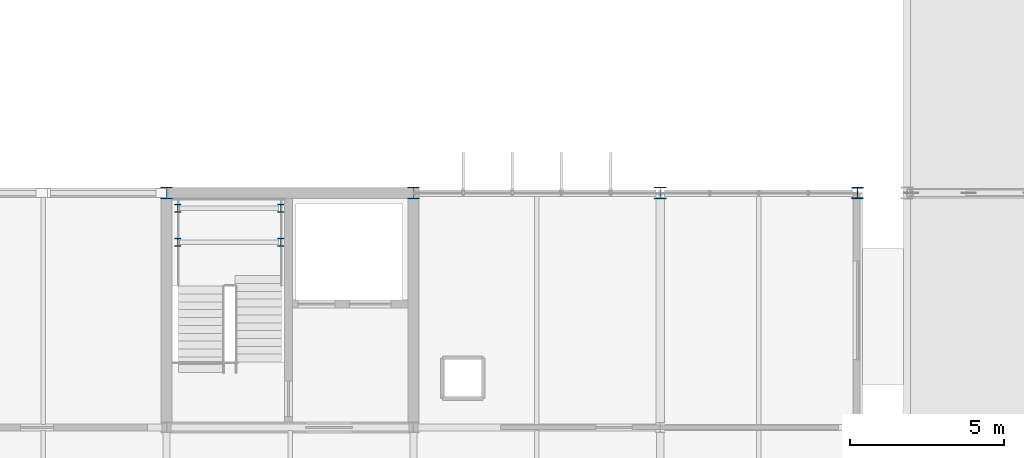
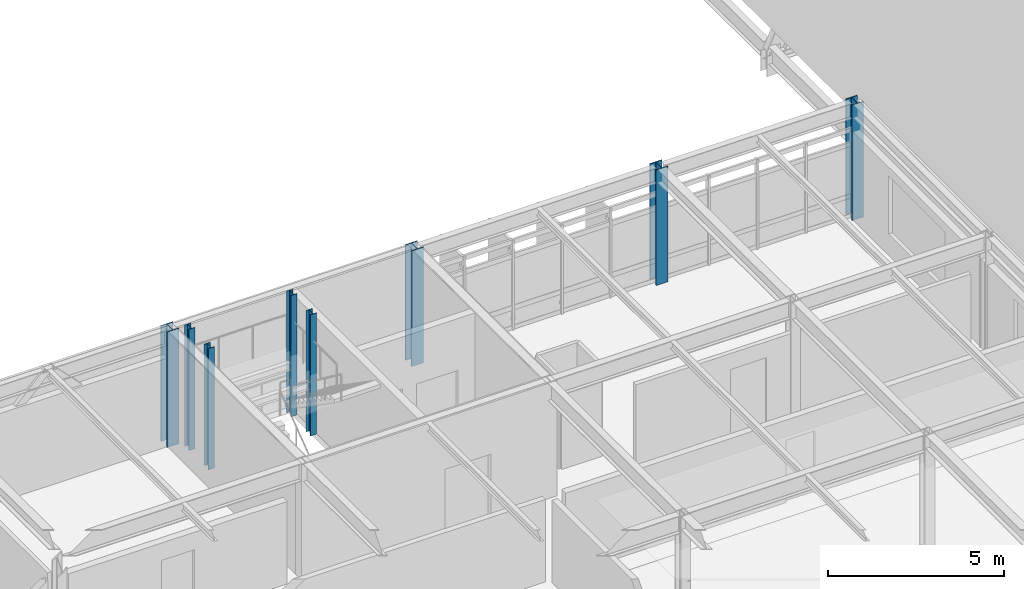
# One storey, part 4 of 85: 8 columns.
"""IFC4 building model written with IfcOpenShell, lengths in metres."""

from ifc_helpers import new_model, si_unit, direction, frame, origin, origin_2d, place, context, subcontext, project, spatial, i_section, extrude, material, material_profile, profile_set, type_object, element, save


model = new_model("IFC4")

# Units and contexts
model_context = context("Model", 3, precision=1e-05, world=origin(), true_north=direction((0.0, 1.0)))
body_context = subcontext(model_context, "Body", "Model", "MODEL_VIEW")
ifc_project = project(units=[si_unit("LENGTHUNIT", "METRE"), si_unit("AREAUNIT", "SQUARE_METRE"), si_unit("VOLUMEUNIT", "CUBIC_METRE"), si_unit("PLANEANGLEUNIT", "RADIAN"), si_unit("MASSUNIT", "GRAM", prefix="KILO")], contexts=[model_context])

# Site, building, storey
site_placement = place(None, origin())
site = spatial("IfcSite", under=ifc_project, at=site_placement, CompositionType="ELEMENT")
building_placement = place(site_placement, origin())
building = spatial("IfcBuilding", under=site, at=building_placement, Name="Zulena Civic Courthouse", CompositionType="ELEMENT")
storey_placement = place(building_placement, frame((0.0, 0.0, 25.199951171875)))
storey = spatial("IfcBuildingStorey", under=building, at=storey_placement, Name="L05", CompositionType="ELEMENT", Elevation=25.199951171875)

# Columns
ifc_material = material(Name="Steel ASTM A992 Grade 50", Category="steel")
ifc_material_profile_1 = material_profile(ifc_material, i_section(OverallWidth=0.2041015625, OverallDepth=0.257080078125, WebThickness=0.0087890625, FlangeThickness=0.015625, FilletRadius=0.0126953125, at=origin_2d()), Name="W10X45")
ifc_profile_set_1 = profile_set([ifc_material_profile_1], Name="Steel ASTM A992 Grade 50")
column_type_1 = type_object("IfcColumnType", Name="Col_W10X45", PredefinedType="COLUMN", material=ifc_profile_set_1)
for number, where, z_axis, x_axis, name in (
    (1, (44.360107421875, 21.199951171875, 0.0), (0.0, 0.0, 1.0), (1.0, 0.0, 0.0), "col:lnd:K2B:L05:0:0"),
    (2, (47.699951171875, 21.199951171875, 0.0), (0.0, 0.0, 1.0), (1.0, 0.0, 0.0), "col:lnd:K2B:L05:0:1"),
    (3, (44.360107421875, 22.300048828125, 0.0), (0.0, 0.0, 1.0), (1.0, 0.0, 0.0), "col:lnd:K2B:L05:1:0"),
    (4, (47.699951171875, 22.300048828125, 0.0), (0.0, 0.0, 1.0), (1.0, 0.0, 0.0), "col:lnd:K2B:L05:1:1"),
):
    element("IfcColumn", number, at=place(storey_placement, frame(where, z_axis=z_axis, x_axis=x_axis)), inside=storey, type_object=column_type_1, Name=name, PredefinedType="COLUMN", context=body_context, shape_type="SweptSolid", body=[
        extrude(i_section(OverallWidth=0.2041015625, OverallDepth=0.257080078125, WebThickness=0.0087890625, FlangeThickness=0.015625, FilletRadius=0.0126953125, at=origin_2d()), origin(), (0.0, 0.0, 1.0), 4.195068359375),
    ])
ifc_material_profile_2 = material_profile(ifc_material, i_section(OverallWidth=0.373046875, OverallDepth=0.367919921875, WebThickness=0.014892578125, FlangeThickness=0.02392578125, FilletRadius=0.01513671875, at=origin_2d()), Name="W14X120")
ifc_profile_set_2 = profile_set([ifc_material_profile_2], Name="Steel ASTM A992 Grade 50")
column_type_2 = type_object("IfcColumnType", Name="Col_W14X120", PredefinedType="COLUMN", material=ifc_profile_set_2)
column_placement = place(storey_placement, frame((66.39990234375, 22.800048828125, 0.0), z_axis=(0.0, 0.0, 1.0), x_axis=(1.0, 0.0, 0.0)))
element("IfcColumn", 5, at=column_placement, inside=storey, type_object=column_type_2, Name="col:V2:L05:66.4:22.8", PredefinedType="COLUMN", context=body_context, shape_type="SweptSolid", body=[
    extrude(i_section(OverallWidth=0.373046875, OverallDepth=0.367919921875, WebThickness=0.014892578125, FlangeThickness=0.02392578125, FilletRadius=0.01513671875, at=origin_2d()), origin(), (0.0, 0.0, 1.0), 3.9951171875),
])
ifc_material_profile_3 = material_profile(ifc_material, i_section(OverallWidth=0.39404296875, OverallDepth=0.3759765625, WebThickness=0.017333984375, FlangeThickness=0.027587890625, FilletRadius=0.01513671875, at=origin_2d()), Name="W14X145")
ifc_profile_set_3 = profile_set([ifc_material_profile_3], Name="Steel ASTM A992 Grade 50")
column_type_3 = type_object("IfcColumnType", Name="Col_W14X145", PredefinedType="COLUMN", material=ifc_profile_set_3)
for number, where, z_axis, x_axis, name in (
    (6, (44.0, 22.800048828125, 0.0), (0.0, 0.0, 1.0), (1.0, 0.0, 0.0), "col:V2:L05:44.0:22.8"),
    (7, (52.0, 22.800048828125, 0.0), (0.0, 0.0, 1.0), (1.0, 0.0, 0.0), "col:V2:L05:52.0:22.8"),
    (8, (60.0, 22.800048828125, 0.0), (0.0, 0.0, 1.0), (1.0, 0.0, 0.0), "col:V2:L05:60.0:22.8"),
):
    element("IfcColumn", number, at=place(storey_placement, frame(where, z_axis=z_axis, x_axis=x_axis)), inside=storey, type_object=column_type_3, Name=name, PredefinedType="COLUMN", context=body_context, shape_type="SweptSolid", body=[
        extrude(i_section(OverallWidth=0.39404296875, OverallDepth=0.3759765625, WebThickness=0.017333984375, FlangeThickness=0.027587890625, FilletRadius=0.01513671875, at=origin_2d()), origin(), (0.0, 0.0, 1.0), 3.9951171875),
    ])

save(model, "model.ifc")
